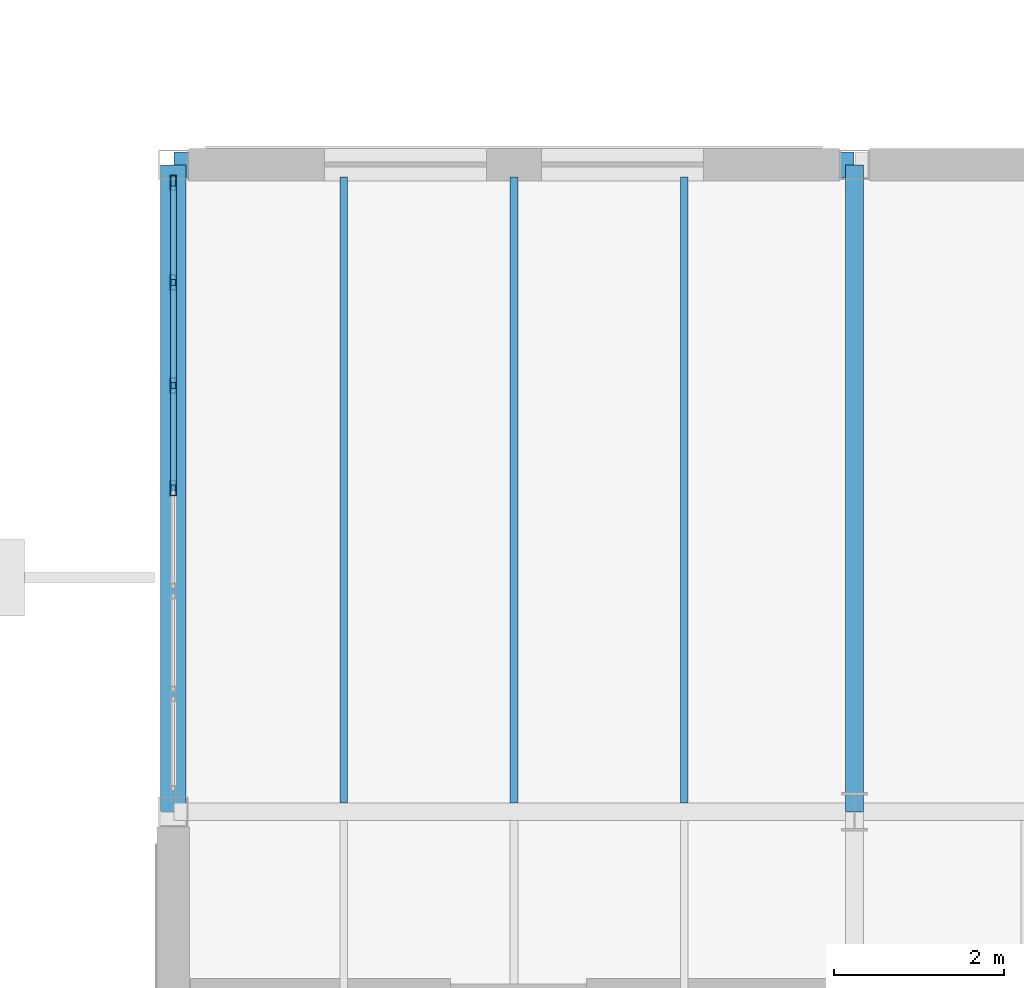
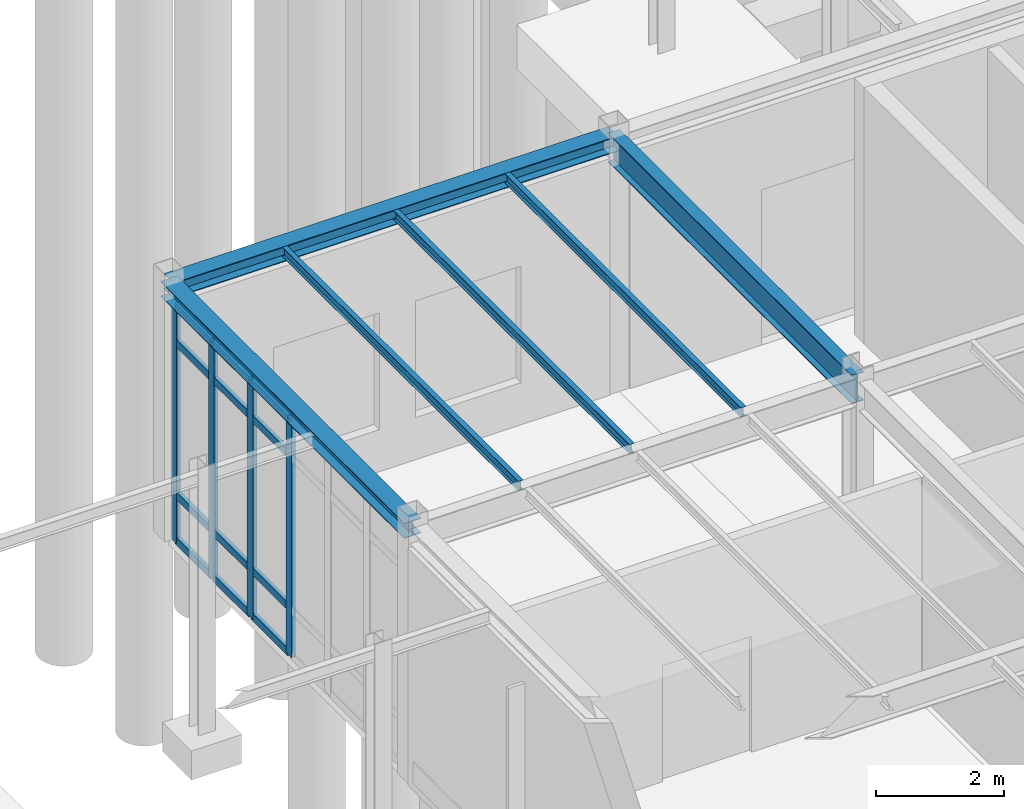
# One storey, part 68 of 109: 16 members, 6 beams, 1 element without a shape of its own.
"""IFC4 building model written with IfcOpenShell, lengths in metres."""

from ifc_helpers import new_model, si_unit, direction, frame, origin, origin_2d, place, context, subcontext, project, spatial, hollow_rectangle, i_section, extrude, material, layer, layer_set, material_profile, profile_set, type_object, element, aggregate, save


model = new_model("IFC4")

# Units and contexts
model_context = context("Model", 3, precision=1e-05, world=origin(), true_north=direction((0.0, 1.0)))
body_context = subcontext(model_context, "Body", "Model", "MODEL_VIEW")
ifc_project = project(units=[si_unit("LENGTHUNIT", "METRE"), si_unit("AREAUNIT", "SQUARE_METRE"), si_unit("VOLUMEUNIT", "CUBIC_METRE"), si_unit("PLANEANGLEUNIT", "RADIAN"), si_unit("MASSUNIT", "GRAM", prefix="KILO")], contexts=[model_context])

# Site, building, storey
site_placement = place(None, origin())
site = spatial("IfcSite", under=ifc_project, at=site_placement, CompositionType="ELEMENT")
building_placement = place(site_placement, origin())
building = spatial("IfcBuilding", under=site, at=building_placement, Name="Montecoro Central Library", CompositionType="ELEMENT")
storey_placement = place(building_placement, origin())
storey = spatial("IfcBuildingStorey", under=building, at=storey_placement, Name="L00", CompositionType="ELEMENT", Elevation=0.0)

# Beams
ifc_material_1 = material(Name="Steel S355J2", Category="steel")
ifc_material_profile_1 = material_profile(ifc_material_1, i_section(OverallWidth=0.2099609375, OverallDepth=0.550048828125, WebThickness=0.010986328125, FlangeThickness=0.01708984375, at=origin_2d()), Name="IPE 550")
ifc_profile_set_1 = profile_set([ifc_material_profile_1], Name="Steel S355J2")
beam_type_1 = type_object("IfcBeamType", Name="BM-G-IPE550", PredefinedType="USERDEFINED", material=ifc_profile_set_1)
beam_1_placement = place(storey_placement, frame((149.0, 35.405029296875, 4.570068359375), z_axis=(0.0, 1.0, 0.0), x_axis=(-1.0, 0.0, 0.0)))
element("IfcBeam", 1, at=beam_1_placement, inside=storey, type_object=beam_type_1, Name="V6-L00-BY-19-EF", ObjectType="GIRDER", PredefinedType="USERDEFINED", context=body_context, shape_type="SweptSolid", body=[
    extrude(i_section(OverallWidth=0.2099609375, OverallDepth=0.550048828125, WebThickness=0.010986328125, FlangeThickness=0.01708984375, at=origin_2d()), origin(), (0.0, 0.0, 1.0), 7.590087890625),
])
ifc_material_2 = material(Name="Steel S355", Category="steel")
ifc_material_profile_2 = material_profile(ifc_material_2, i_section(OverallWidth=0.091064453125, OverallDepth=0.179931640625, WebThickness=0.00537109375, FlangeThickness=0.008056640625, at=origin_2d()), Name="IPE 180")
ifc_profile_set_2 = profile_set([ifc_material_profile_2], Name="Steel S355")
beam_type_2 = type_object("IfcBeamType", Name="BM-J-IPE180", PredefinedType="JOIST", material=ifc_profile_set_2)
for number, where, z_axis, x_axis, name in (
    (2, (143.0, 35.501953125, 4.7548828125), (0.0, 1.0, 0.0), (-1.0, 0.0, 0.0), "V6-L00-JS-1819-EF-1"),
    (3, (145.0, 35.501953125, 4.7548828125), (0.0, 1.0, 0.0), (-1.0, 0.0, 0.0), "V6-L00-JS-1819-EF-2"),
    (4, (147.0, 35.501953125, 4.7548828125), (0.0, 1.0, 0.0), (-1.0, 0.0, 0.0), "V6-L00-JS-1819-EF-3"),
):
    element("IfcBeam", number, at=place(storey_placement, frame(where, z_axis=z_axis, x_axis=x_axis)), inside=storey, type_object=beam_type_2, Name=name, PredefinedType="JOIST", context=body_context, shape_type="SweptSolid", body=[
        extrude(i_section(OverallWidth=0.091064453125, OverallDepth=0.179931640625, WebThickness=0.00537109375, FlangeThickness=0.008056640625, at=origin_2d()), origin(), (0.0, 0.0, 1.0), 7.35107421875),
    ])
ifc_material_profile_3 = material_profile(ifc_material_2, i_section(OverallWidth=0.300048828125, OverallDepth=0.2900390625, WebThickness=0.008544921875, FlangeThickness=0.013916015625, at=origin_2d()), Name="HEA 300")
ifc_profile_set_3 = profile_set([ifc_material_profile_3], Name="Steel S355")
beam_type_3 = type_object("IfcBeamType", Name="BM-SP-HEA300", PredefinedType="SPANDREL", material=ifc_profile_set_3)
beam_2_placement = place(storey_placement, frame((141.0048828125, 43.0, 4.699951171875), z_axis=(1.0, 0.0, 0.0), x_axis=(0.0, 1.0, 0.0)))
element("IfcBeam", 5, at=beam_2_placement, inside=storey, type_object=beam_type_3, Name="V6-L00-BX-1819-F", PredefinedType="SPANDREL", context=body_context, shape_type="SweptSolid", body=[
    extrude(i_section(OverallWidth=0.300048828125, OverallDepth=0.2900390625, WebThickness=0.008544921875, FlangeThickness=0.013916015625, at=origin_2d()), origin(), (0.0, 0.0, 1.0), 7.990234375),
])
beam_3_placement = place(storey_placement, frame((141.0, 35.405029296875, 4.699951171875), z_axis=(0.0, 1.0, 0.0), x_axis=(-1.0, 0.0, 0.0)))
element("IfcBeam", 6, at=beam_3_placement, inside=storey, type_object=beam_type_3, Name="V6-L00-BY-18-EF", PredefinedType="SPANDREL", context=body_context, shape_type="SweptSolid", body=[
    extrude(i_section(OverallWidth=0.300048828125, OverallDepth=0.2900390625, WebThickness=0.008544921875, FlangeThickness=0.013916015625, at=origin_2d()), origin(), (0.0, 0.0, 1.0), 7.590087890625),
])

# Curtain wall, members
ifc_material_3 = material(Name="Bronze-anodised aluminium and low-E glazing", Category="aluminium")
ifc_layer = layer(ifc_material_3, 0.159912109375)
ifc_layer_set = layer_set([ifc_layer], Name="Bronze-anodised aluminium and low-E glazing")
curtain_wall_type = type_object("IfcCurtainWallType", Name="CWT-059", PredefinedType="NOTDEFINED", material=ifc_layer_set)
curtain_wall_placement = place(storey_placement, origin())
curtain_wall = element("IfcCurtainWall", 7, at=curtain_wall_placement, inside=storey, type_object=curtain_wall_type, Name="V6-L00-CW-W4", PredefinedType="NOTDEFINED")
ifc_material_4 = material(Name="Bronze-anodised aluminium", Category="aluminium")
ifc_material_profile_4 = material_profile(ifc_material_4, hollow_rectangle(XDim=0.070068359375, YDim=0.179931640625, WallThickness=0.0048828125, at=origin_2d()), Name="CWM 180x70x5.0")
ifc_profile_set_4 = profile_set([ifc_material_profile_4], Name="Bronze-anodised aluminium")
member_type_1 = type_object("IfcMemberType", Name="CWM-BRZ-70", PredefinedType="MULLION", material=ifc_profile_set_4)
member_1_placement = place(storey_placement, frame((141.0, 42.787109375, 0.0), z_axis=(0.0, 0.0, 1.0), x_axis=(1.0, 0.0, 0.0)))
member_1 = element("IfcMember", 8, at=member_1_placement, type_object=member_type_1, Name="CW-059 mullion 1", PredefinedType="MULLION", context=body_context, shape_type="SweptSolid", body=[
    extrude(hollow_rectangle(XDim=0.070068359375, YDim=0.179931640625, WallThickness=0.0048828125, at=origin_2d()), origin(), (0.0, 0.0, 1.0), 4.5),
])
member_2_placement = place(storey_placement, frame((141.0, 41.61474609375, 0.0), z_axis=(0.0, 0.0, 1.0), x_axis=(1.0, 0.0, 0.0)))
member_2 = element("IfcMember", 9, at=member_2_placement, type_object=member_type_1, Name="CW-059 mullion 2", PredefinedType="MULLION", context=body_context, shape_type="SweptSolid", body=[
    extrude(hollow_rectangle(XDim=0.070068359375, YDim=0.179931640625, WallThickness=0.0048828125, at=origin_2d()), origin(), (0.0, 0.0, 1.0), 4.5),
])
member_3_placement = place(storey_placement, frame((141.0, 40.4072265625, 0.0), z_axis=(0.0, 0.0, 1.0), x_axis=(1.0, 0.0, 0.0)))
member_3 = element("IfcMember", 10, at=member_3_placement, type_object=member_type_1, Name="CW-059 mullion 3", PredefinedType="MULLION", context=body_context, shape_type="SweptSolid", body=[
    extrude(hollow_rectangle(XDim=0.070068359375, YDim=0.179931640625, WallThickness=0.0048828125, at=origin_2d()), origin(), (0.0, 0.0, 1.0), 4.5),
])
member_4_placement = place(storey_placement, frame((141.0, 39.199951171875, 0.0), z_axis=(0.0, 0.0, 1.0), x_axis=(1.0, 0.0, 0.0)))
member_4 = element("IfcMember", 11, at=member_4_placement, type_object=member_type_1, Name="CW-059 mullion 4", PredefinedType="MULLION", context=body_context, shape_type="SweptSolid", body=[
    extrude(hollow_rectangle(XDim=0.070068359375, YDim=0.179931640625, WallThickness=0.0048828125, at=origin_2d()), origin(), (0.0, 0.0, 1.0), 4.5),
])
ifc_material_profile_5 = material_profile(ifc_material_4, hollow_rectangle(XDim=0.070068359375, YDim=0.139892578125, WallThickness=0.00390625, at=origin_2d()), Name="CWT 140x70x4.0")
ifc_profile_set_5 = profile_set([ifc_material_profile_5], Name="Bronze-anodised aluminium")
member_type_2 = type_object("IfcMemberType", Name="CWT-BRZ-70", PredefinedType="USERDEFINED", material=ifc_profile_set_5)
member_5_placement = place(storey_placement, frame((141.0, 42.751953125, 0.034912109375), z_axis=(0.0, -1.0, 0.0), x_axis=(1.0, 0.0, 0.0)))
member_5 = element("IfcMember", 12, at=member_5_placement, type_object=member_type_2, Name="CW-059 transom 1.1", ObjectType="TRANSOM", PredefinedType="USERDEFINED", context=body_context, shape_type="SweptSolid", body=[
    extrude(hollow_rectangle(XDim=0.070068359375, YDim=0.139892578125, WallThickness=0.00390625, at=origin_2d()), origin(), (0.0, 0.0, 1.0), 1.102294921875),
])
member_6_placement = place(storey_placement, frame((141.0, 42.751953125, 0.89990234375), z_axis=(0.0, -1.0, 0.0), x_axis=(1.0, 0.0, 0.0)))
member_6 = element("IfcMember", 13, at=member_6_placement, type_object=member_type_2, Name="CW-059 transom 1.2", ObjectType="TRANSOM", PredefinedType="USERDEFINED", context=body_context, shape_type="SweptSolid", body=[
    extrude(hollow_rectangle(XDim=0.070068359375, YDim=0.139892578125, WallThickness=0.00390625, at=origin_2d()), origin(), (0.0, 0.0, 1.0), 1.102294921875),
])
member_7_placement = place(storey_placement, frame((141.0, 42.751953125, 3.800048828125), z_axis=(0.0, -1.0, 0.0), x_axis=(1.0, 0.0, 0.0)))
member_7 = element("IfcMember", 14, at=member_7_placement, type_object=member_type_2, Name="CW-059 transom 1.3", ObjectType="TRANSOM", PredefinedType="USERDEFINED", context=body_context, shape_type="SweptSolid", body=[
    extrude(hollow_rectangle(XDim=0.070068359375, YDim=0.139892578125, WallThickness=0.00390625, at=origin_2d()), origin(), (0.0, 0.0, 1.0), 1.102294921875),
])
member_8_placement = place(storey_placement, frame((141.0, 42.751953125, 4.465087890625), z_axis=(0.0, -1.0, 0.0), x_axis=(1.0, 0.0, 0.0)))
member_8 = element("IfcMember", 15, at=member_8_placement, type_object=member_type_2, Name="CW-059 transom 1.4", ObjectType="TRANSOM", PredefinedType="USERDEFINED", context=body_context, shape_type="SweptSolid", body=[
    extrude(hollow_rectangle(XDim=0.070068359375, YDim=0.139892578125, WallThickness=0.00390625, at=origin_2d()), origin(), (0.0, 0.0, 1.0), 1.102294921875),
])
member_9_placement = place(storey_placement, frame((141.0, 41.57958984375, 0.034912109375), z_axis=(0.0, -1.0, 0.0), x_axis=(1.0, 0.0, 0.0)))
member_9 = element("IfcMember", 16, at=member_9_placement, type_object=member_type_2, Name="CW-059 transom 2.1", ObjectType="TRANSOM", PredefinedType="USERDEFINED", context=body_context, shape_type="SweptSolid", body=[
    extrude(hollow_rectangle(XDim=0.070068359375, YDim=0.139892578125, WallThickness=0.00390625, at=origin_2d()), origin(), (0.0, 0.0, 1.0), 1.13720703125),
])
member_10_placement = place(storey_placement, frame((141.0, 41.57958984375, 0.89990234375), z_axis=(0.0, -1.0, 0.0), x_axis=(1.0, 0.0, 0.0)))
member_10 = element("IfcMember", 17, at=member_10_placement, type_object=member_type_2, Name="CW-059 transom 2.2", ObjectType="TRANSOM", PredefinedType="USERDEFINED", context=body_context, shape_type="SweptSolid", body=[
    extrude(hollow_rectangle(XDim=0.070068359375, YDim=0.139892578125, WallThickness=0.00390625, at=origin_2d()), origin(), (0.0, 0.0, 1.0), 1.13720703125),
])
member_11_placement = place(storey_placement, frame((141.0, 41.57958984375, 3.800048828125), z_axis=(0.0, -1.0, 0.0), x_axis=(1.0, 0.0, 0.0)))
member_11 = element("IfcMember", 18, at=member_11_placement, type_object=member_type_2, Name="CW-059 transom 2.3", ObjectType="TRANSOM", PredefinedType="USERDEFINED", context=body_context, shape_type="SweptSolid", body=[
    extrude(hollow_rectangle(XDim=0.070068359375, YDim=0.139892578125, WallThickness=0.00390625, at=origin_2d()), origin(), (0.0, 0.0, 1.0), 1.13720703125),
])
member_12_placement = place(storey_placement, frame((141.0, 41.57958984375, 4.465087890625), z_axis=(0.0, -1.0, 0.0), x_axis=(1.0, 0.0, 0.0)))
member_12 = element("IfcMember", 19, at=member_12_placement, type_object=member_type_2, Name="CW-059 transom 2.4", ObjectType="TRANSOM", PredefinedType="USERDEFINED", context=body_context, shape_type="SweptSolid", body=[
    extrude(hollow_rectangle(XDim=0.070068359375, YDim=0.139892578125, WallThickness=0.00390625, at=origin_2d()), origin(), (0.0, 0.0, 1.0), 1.13720703125),
])
member_13_placement = place(storey_placement, frame((141.0, 40.372314453125, 0.034912109375), z_axis=(0.0, -1.0, 0.0), x_axis=(1.0, 0.0, 0.0)))
member_13 = element("IfcMember", 20, at=member_13_placement, type_object=member_type_2, Name="CW-059 transom 3.1", ObjectType="TRANSOM", PredefinedType="USERDEFINED", context=body_context, shape_type="SweptSolid", body=[
    extrude(hollow_rectangle(XDim=0.070068359375, YDim=0.139892578125, WallThickness=0.00390625, at=origin_2d()), origin(), (0.0, 0.0, 1.0), 1.13720703125),
])
member_14_placement = place(storey_placement, frame((141.0, 40.372314453125, 0.89990234375), z_axis=(0.0, -1.0, 0.0), x_axis=(1.0, 0.0, 0.0)))
member_14 = element("IfcMember", 21, at=member_14_placement, type_object=member_type_2, Name="CW-059 transom 3.2", ObjectType="TRANSOM", PredefinedType="USERDEFINED", context=body_context, shape_type="SweptSolid", body=[
    extrude(hollow_rectangle(XDim=0.070068359375, YDim=0.139892578125, WallThickness=0.00390625, at=origin_2d()), origin(), (0.0, 0.0, 1.0), 1.13720703125),
])
member_15_placement = place(storey_placement, frame((141.0, 40.372314453125, 3.800048828125), z_axis=(0.0, -1.0, 0.0), x_axis=(1.0, 0.0, 0.0)))
member_15 = element("IfcMember", 22, at=member_15_placement, type_object=member_type_2, Name="CW-059 transom 3.3", ObjectType="TRANSOM", PredefinedType="USERDEFINED", context=body_context, shape_type="SweptSolid", body=[
    extrude(hollow_rectangle(XDim=0.070068359375, YDim=0.139892578125, WallThickness=0.00390625, at=origin_2d()), origin(), (0.0, 0.0, 1.0), 1.13720703125),
])
member_16_placement = place(storey_placement, frame((141.0, 40.372314453125, 4.465087890625), z_axis=(0.0, -1.0, 0.0), x_axis=(1.0, 0.0, 0.0)))
member_16 = element("IfcMember", 23, at=member_16_placement, type_object=member_type_2, Name="CW-059 transom 3.4", ObjectType="TRANSOM", PredefinedType="USERDEFINED", context=body_context, shape_type="SweptSolid", body=[
    extrude(hollow_rectangle(XDim=0.070068359375, YDim=0.139892578125, WallThickness=0.00390625, at=origin_2d()), origin(), (0.0, 0.0, 1.0), 1.13720703125),
])
aggregate(curtain_wall, [member_1, member_2, member_3, member_4, member_5, member_6, member_7, member_8, member_9, member_10, member_11, member_12, member_13, member_14, member_15, member_16])

save(model, "model.ifc")
